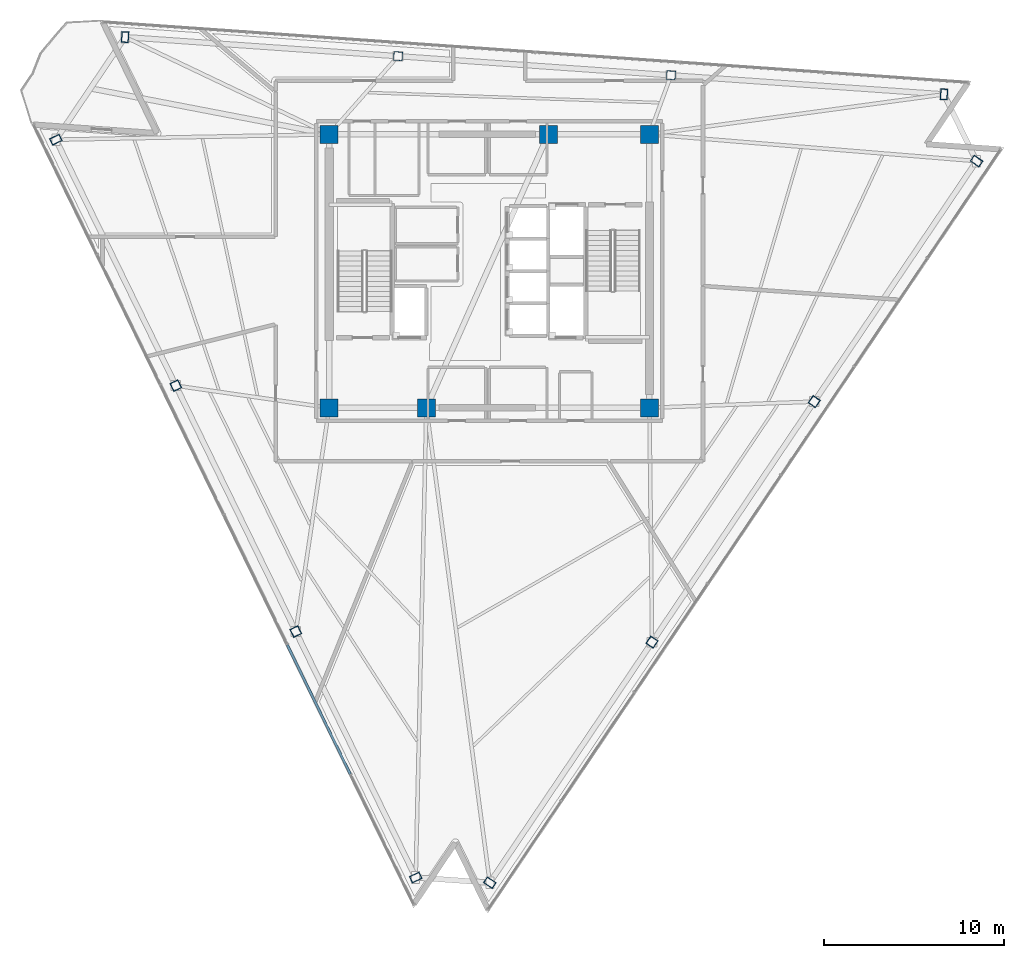
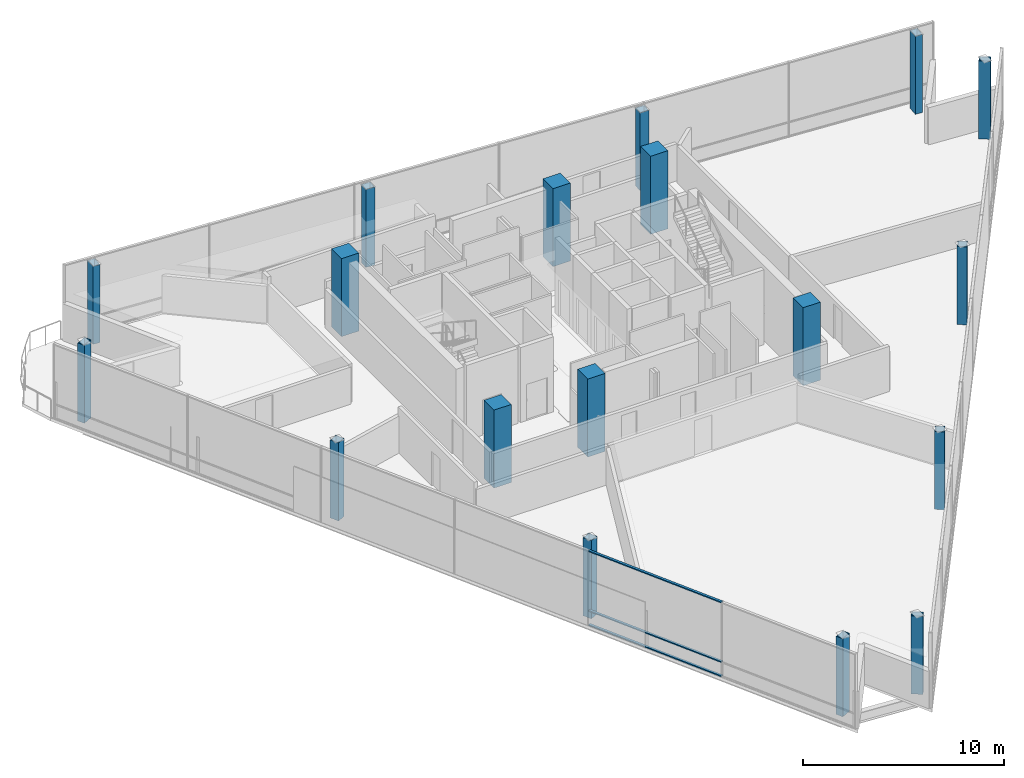
# One storey, part 1 of 13: 18 columns, 3 members, 1 element without a shape of its own.
"""IFC4 building model written with IfcOpenShell, lengths in metres."""

import ifcopenshell
import ifcopenshell.guid

model = None  # the IFC model being written
_history = None  # IfcOwnerHistory: only IFC2X3 demands one
_inside = {}  # id of a spatial element -> (the spatial element, [elements in it])
_under = {}  # id of a project, library or spatial element -> (it, [spatial elements below it])
_declared = {}  # id of a project -> (the project, [libraries it declares])
_typed = {}  # id of a type object -> (the type object, [elements of that type])
_made_of = {}  # id of a material, layer set ... -> (it, [elements and type objects made of it])


def new_model(schema):
    """Start an empty IFC model of exactly this schema.

    Asked for "IFC4X3", IfcOpenShell would pick the latest addendum, in which some entities
    have other attributes; the version numbers below select the first issue.
    IFC2X3 requires an IfcOwnerHistory on every rooted entity: one is made here for all.
    """
    global model, _history
    if schema == "IFC4X3":
        model = ifcopenshell.file(schema_version=(4, 3, 0, 0))
    else:
        model = ifcopenshell.file(schema=schema)
    _inside.clear()
    _under.clear()
    _declared.clear()
    _typed.clear()
    _made_of.clear()
    _history = None
    if model.schema == "IFC2X3":
        org = make("IfcOrganization", Name="unknown")
        user = make(
            "IfcPersonAndOrganization",
            ThePerson=make("IfcPerson", FamilyName="unknown"),
            TheOrganization=org,
        )
        app = make(
            "IfcApplication",
            ApplicationDeveloper=org,
            Version="unknown",
            ApplicationFullName="unknown",
            ApplicationIdentifier="unknown",
        )
        _history = make(
            "IfcOwnerHistory",
            OwningUser=user,
            OwningApplication=app,
            ChangeAction="ADDED",
            CreationDate=0,
        )
    return model


def make(cls, **values):
    """One entity of the class cls with the attributes given. An attribute that is None is left unset."""
    return model.create_entity(
        cls, **{name: value for name, value in values.items() if value is not None}
    )


def rooted(cls, **values):
    """An entity with a GlobalId (a new one), such as an element, a storey or a relation."""
    return make(cls, GlobalId=ifcopenshell.guid.new(), OwnerHistory=_history, **values)


def si_unit(unit_type, name, prefix=None):
    """IfcSIUnit, for example si_unit("LENGTHUNIT", "METRE", prefix="MILLI")."""
    return make("IfcSIUnit", UnitType=unit_type, Prefix=prefix, Name=name)


def assignment(units):
    """IfcUnitAssignment: the units of a project."""
    return None if units is None else make("IfcUnitAssignment", Units=units)


def point(xyz):
    """IfcCartesianPoint."""
    return None if xyz is None else make("IfcCartesianPoint", Coordinates=xyz)


def direction(xyz):
    """IfcDirection."""
    return None if xyz is None else make("IfcDirection", DirectionRatios=xyz)


def frame(location, z_axis=None, x_axis=None):
    """IfcAxis2Placement3D, a coordinate frame: its origin and axes. An axis left out is left unset."""
    return make(
        "IfcAxis2Placement3D",
        Location=point(location),
        Axis=direction(z_axis),
        RefDirection=direction(x_axis),
    )


def frame_2d(location, x_axis=None):
    """IfcAxis2Placement2D, a coordinate frame in the plane: its origin and x axis."""
    return make(
        "IfcAxis2Placement2D", Location=point(location), RefDirection=direction(x_axis)
    )


def origin():
    """The frame at (0, 0, 0) with its axes left unset."""
    return frame((0.0, 0.0, 0.0))


def origin_2d():
    """The frame at (0, 0) in the plane with its x axis left unset."""
    return frame_2d((0.0, 0.0))


def place(relative_to, where):
    """IfcLocalPlacement: puts the frame where relative to a parent placement (None: the world)."""
    return make(
        "IfcLocalPlacement", PlacementRelTo=relative_to, RelativePlacement=where
    )


def context(
    kind, dimensions, precision=None, world=None, true_north=None, identifier=None
):
    """IfcGeometricRepresentationContext, for example the 3D "Model" context."""
    return make(
        "IfcGeometricRepresentationContext",
        ContextIdentifier=identifier,
        ContextType=kind,
        CoordinateSpaceDimension=dimensions,
        Precision=precision,
        WorldCoordinateSystem=world,
        TrueNorth=true_north,
    )


def subcontext(parent, identifier, kind, view, scale=None):
    """IfcGeometricRepresentationSubContext, for example "Body" below "Model"."""
    return make(
        "IfcGeometricRepresentationSubContext",
        ContextIdentifier=identifier,
        ContextType=kind,
        ParentContext=parent,
        TargetScale=scale,
        TargetView=view,
    )


def project(units=None, contexts=None):
    """IfcProject with its units and contexts."""
    return rooted(
        "IfcProject",
        Name="project",
        RepresentationContexts=contexts,
        UnitsInContext=assignment(units),
    )


def spatial(cls, under=None, at=None, **own):
    """A site, building, storey or space (cls), placed at a placement, below another one or the project."""
    s = rooted(cls, ObjectPlacement=at, **own)
    if under is not None:
        _under.setdefault(under.id(), (under, []))[1].append(s)
    return s


def profile(cls, at=None, kind="AREA", **sizes):
    """A parametric profile (cls). Its sizes go by their IFC names, for example OverallWidth=200.0."""
    return make(cls, ProfileType=kind, Position=at, **sizes)


def rectangle(**sizes):
    """IfcRectangleProfileDef."""
    return profile("IfcRectangleProfileDef", **sizes)


def hollow_rectangle(**sizes):
    """IfcRectangleHollowProfileDef."""
    return profile("IfcRectangleHollowProfileDef", **sizes)


def extrude(swept, where, along, depth):
    """IfcExtrudedAreaSolid: the profile swept, set in the frame where, extruded along a direction by depth."""
    return make(
        "IfcExtrudedAreaSolid",
        SweptArea=swept,
        Position=where,
        ExtrudedDirection=direction(along),
        Depth=depth,
    )


def shape(context_of_items, identifier, shape_type, items):
    """IfcShapeRepresentation: the items that make up one representation, for example the "Body"."""
    return make(
        "IfcShapeRepresentation",
        ContextOfItems=context_of_items,
        RepresentationIdentifier=identifier,
        RepresentationType=shape_type,
        Items=items,
    )


def material(Name=None, Category=None):
    """IfcMaterial."""
    return make("IfcMaterial", Name=Name, Category=Category)


def layer(
    of_material, thickness, ventilated=None, Name=None, Category=None, Priority=None
):
    """IfcMaterialLayer: one layer of a wall or slab, of a material (None: an air gap)."""
    return make(
        "IfcMaterialLayer",
        Material=of_material,
        LayerThickness=thickness,
        IsVentilated=ventilated,
        Name=Name,
        Category=Category,
        Priority=Priority,
    )


def layer_set(layers, Name=None):
    """IfcMaterialLayerSet."""
    return make("IfcMaterialLayerSet", MaterialLayers=layers, LayerSetName=Name)


def material_profile(
    of_material, cross_section, Name=None, Category=None, Priority=None
):
    """IfcMaterialProfile: a cross section and its material."""
    return make(
        "IfcMaterialProfile",
        Name=Name,
        Material=of_material,
        Profile=cross_section,
        Priority=Priority,
        Category=Category,
    )


def profile_set(profiles, Name=None, composite=None):
    """IfcMaterialProfileSet."""
    return make(
        "IfcMaterialProfileSet",
        Name=Name,
        MaterialProfiles=profiles,
        CompositeProfile=composite,
    )


def made_of(thing, what):
    """Note that an element or type object is made of a material, layer set ...; save() writes the relation."""
    if what is not None:
        _made_of.setdefault(what.id(), (what, []))[1].append(thing)
    return thing


def type_object(cls, material=None, **own):
    """A type object (cls), such as IfcWallType, which elements share."""
    return made_of(rooted(cls, **own), material)


def element(
    cls,
    number,
    at=None,
    inside=None,
    cuts=None,
    type_object=None,
    material=None,
    context=None,
    identifier="Body",
    shape_type=None,
    held_by="IfcProductDefinitionShape",
    body=None,
    shapes=None,
    **own,
):
    """One element of the class cls, such as IfcWall. Its Tag is "e" and its number.

    at: its placement. inside: the storey or other place that contains it. cuts: it is an
    opening in that element (IfcRelVoidsElement). A single representation is given by context,
    identifier, shape_type and body (its items); several are given by shapes. held_by: the class
    of the entity that holds the representations. save() writes the other relations.
    """
    e = rooted(cls, Tag="e%d" % number, ObjectPlacement=at, **own)
    if body is not None:
        shapes = [shape(context, identifier, shape_type, body)]
    if shapes is not None:
        e.Representation = make(held_by, Representations=shapes)
    if inside is not None:
        _inside.setdefault(inside.id(), (inside, []))[1].append(e)
    if cuts is not None:
        rooted(
            "IfcRelVoidsElement", RelatingBuildingElement=cuts, RelatedOpeningElement=e
        )
    if type_object is not None:
        _typed.setdefault(type_object.id(), (type_object, []))[1].append(e)
    return made_of(e, material)


def aggregate(whole, parts):
    """IfcRelAggregates: a whole, such as a stair, and the parts it consists of."""
    return rooted("IfcRelAggregates", RelatingObject=whole, RelatedObjects=parts)


def save(model, path):
    """Write the relations noted so far, then the file.

    IfcRelAggregates (storeys below a building ...), IfcRelContainedInSpatialStructure (elements
    in a storey), IfcRelDefinesByType, IfcRelAssociatesMaterial and IfcRelDeclares: one each for
    every whole, place, type object, material and project.
    """
    for whole, parts in _under.values():
        aggregate(whole, parts)
    for where, things in _inside.values():
        rooted(
            "IfcRelContainedInSpatialStructure",
            RelatedElements=things,
            RelatingStructure=where,
        )
    for kind, things in _typed.values():
        rooted("IfcRelDefinesByType", RelatedObjects=things, RelatingType=kind)
    for what, things in _made_of.values():
        rooted("IfcRelAssociatesMaterial", RelatedObjects=things, RelatingMaterial=what)
    for by, libraries in _declared.values():
        rooted("IfcRelDeclares", RelatingContext=by, RelatedDefinitions=libraries)
    model.write(path)


model = new_model("IFC4")

# Units and contexts
model_context = context("Model", 3, precision=1e-05, world=origin(), true_north=direction((0.0, 1.0)))
body_context = subcontext(model_context, "Body", "Model", "MODEL_VIEW")
ifc_project = project(units=[si_unit("LENGTHUNIT", "METRE"), si_unit("AREAUNIT", "SQUARE_METRE"), si_unit("VOLUMEUNIT", "CUBIC_METRE"), si_unit("PLANEANGLEUNIT", "RADIAN"), si_unit("MASSUNIT", "GRAM", prefix="KILO")], contexts=[model_context])

# Site, building, storey
site_placement = place(None, origin())
site = spatial("IfcSite", under=ifc_project, at=site_placement, CompositionType="ELEMENT")
building_placement = place(site_placement, origin())
building = spatial("IfcBuilding", under=site, at=building_placement, Name="Tharavind Bronze Gate", CompositionType="ELEMENT")
storey_placement = place(building_placement, frame((0.0, 0.0, 248.64990234375)))
storey = spatial("IfcBuildingStorey", under=building, at=storey_placement, Name="L64", CompositionType="ELEMENT", Elevation=248.64990234375)

# Columns
ifc_material_1 = material(Name="Steel S460", Category="steel")
ifc_material_profile_1 = material_profile(ifc_material_1, hollow_rectangle(XDim=0.39990234375, YDim=0.60009765625, WallThickness=0.030029296875, at=origin_2d()), Name="RHS600X400X30")
ifc_profile_set_1 = profile_set([ifc_material_profile_1], Name="Steel S460")
column_type_1 = type_object("IfcColumnType", Name="CORNER NOTCH COLUMN RHS600X400", PredefinedType="COLUMN", material=ifc_profile_set_1)
for number, where, z_axis, x_axis, name in (
    (1, (-24.093505859375, 7.302001953125, 0.0), (0.0, 0.0, 1.0), (-0.438371146789, 0.898794046299, 0.0), "L64 perimeter column S1C1"),
    (2, (-4.090576171875, -33.710205078125, 0.0), (0.0, 0.0, 1.0), (-0.438371146789, 0.898794046299, 0.0), "L64 perimeter column S1C4"),
    (3, (0.02734375, -33.998046875, 0.0), (0.0, 0.0, 1.0), (0.559194350413, 0.829036596578, 0.0), "L64 perimeter column S2C1"),
    (4, (27.082275390625, 6.112548828125, 0.0), (0.0, 0.0, 1.0), (0.559194350413, 0.829036596578, 0.0), "L64 perimeter column S2C4"),
    (5, (25.272705078125, 9.82275390625, 0.0), (0.0, 0.0, 1.0), (-0.99756405026, 0.069756473744, 0.0), "L64 perimeter column S3C1"),
    (6, (-20.246337890625, 13.005615234375, 0.0), (0.0, 0.0, 1.0), (-0.99756405026, 0.069756473744, 0.0), "L64 perimeter column S3C4"),
):
    element("IfcColumn", number, at=place(storey_placement, frame(where, z_axis=z_axis, x_axis=x_axis)), inside=storey, type_object=column_type_1, Name=name, PredefinedType="COLUMN", context=body_context, shape_type="SweptSolid", body=[
        extrude(hollow_rectangle(XDim=0.39990234375, YDim=0.60009765625, WallThickness=0.030029296875, at=origin_2d()), origin(), (0.0, 0.0, 1.0), 4.75),
    ])
ifc_material_2 = material(Name="Concrete C50/60", Category="concrete")
ifc_material_profile_2 = material_profile(ifc_material_2, rectangle(XDim=1.0, YDim=1.0, at=origin_2d()), Name="RCCOL1000")
ifc_profile_set_2 = profile_set([ifc_material_profile_2], Name="Concrete C50/60")
column_type_2 = type_object("IfcColumnType", Name="MEGA CORE COLUMN 1000", PredefinedType="COLUMN", material=ifc_profile_set_2)
for number, where, z_axis, x_axis, name in (
    (7, (-8.89990234375, -7.60009765625, 0.0), (0.0, 0.0, 1.0), (1.0, 0.0, 0.0), "L64 core mega column MC1"),
    (8, (-3.5, -7.60009765625, 0.0), (0.0, 0.0, 1.0), (1.0, 0.0, 0.0), "L64 core mega column MC2"),
    (9, (8.89990234375, -7.60009765625, 0.0), (0.0, 0.0, 1.0), (1.0, 0.0, 0.0), "L64 core mega column MC3"),
    (10, (8.89990234375, 7.60009765625, 0.0), (0.0, 0.0, 1.0), (1.0, 0.0, 0.0), "L64 core mega column MC4"),
    (11, (3.280029296875, 7.60009765625, 0.0), (0.0, 0.0, 1.0), (1.0, 0.0, 0.0), "L64 core mega column MC5"),
    (12, (-8.89990234375, 7.60009765625, 0.0), (0.0, 0.0, 1.0), (1.0, 0.0, 0.0), "L64 core mega column MC6"),
):
    element("IfcColumn", number, at=place(storey_placement, frame(where, z_axis=z_axis, x_axis=x_axis)), inside=storey, type_object=column_type_2, Name=name, PredefinedType="COLUMN", context=body_context, shape_type="SweptSolid", body=[
        extrude(rectangle(XDim=1.0, YDim=1.0, at=origin_2d()), origin(), (0.0, 0.0, 1.0), 4.75),
    ])
ifc_material_profile_3 = material_profile(ifc_material_1, hollow_rectangle(XDim=0.5, YDim=0.5, WallThickness=0.031982421875, at=origin_2d()), Name="SHS500X32")
ifc_profile_set_3 = profile_set([ifc_material_profile_3], Name="Steel S460")
column_type_3 = type_object("IfcColumnType", Name="PERIMETER BOX COLUMN SHS500", PredefinedType="COLUMN", material=ifc_profile_set_3)
for number, where, z_axis, x_axis, name in (
    (13, (-17.42578125, -6.368896484375, 0.0), (0.0, 0.0, 1.0), (-0.438371146789, 0.898794046299, 0.0), "L64 perimeter column S1C2"),
    (14, (-10.75830078125, -20.039306640625, 0.0), (0.0, 0.0, 1.0), (-0.438371146789, 0.898794046299, 0.0), "L64 perimeter column S1C3"),
    (15, (9.045654296875, -20.627685546875, 0.0), (0.0, 0.0, 1.0), (0.559194350413, 0.829036596578, 0.0), "L64 perimeter column S2C2"),
    (16, (18.06396484375, -7.2578125, 0.0), (0.0, 0.0, 1.0), (0.559194350413, 0.829036596578, 0.0), "L64 perimeter column S2C3"),
    (17, (10.099609375, 10.8837890625, 0.0), (0.0, 0.0, 1.0), (-0.99756405026, 0.069756473744, 0.0), "L64 perimeter column S3C2"),
    (18, (-5.0732421875, 11.944580078125, 0.0), (0.0, 0.0, 1.0), (-0.99756405026, 0.069756473744, 0.0), "L64 perimeter column S3C3"),
):
    element("IfcColumn", number, at=place(storey_placement, frame(where, z_axis=z_axis, x_axis=x_axis)), inside=storey, type_object=column_type_3, Name=name, PredefinedType="COLUMN", context=body_context, shape_type="SweptSolid", body=[
        extrude(hollow_rectangle(XDim=0.5, YDim=0.5, WallThickness=0.031982421875, at=origin_2d()), origin(), (0.0, 0.0, 1.0), 4.75),
    ])

# Curtain wall, members
ifc_material_3 = material(Name="Anodised Bronze Aluminium", Category="aluminium")
ifc_layer = layer(ifc_material_3, 0.219970703125)
ifc_layer_set = layer_set([ifc_layer], Name="Anodised Bronze Aluminium")
curtain_wall_type = type_object("IfcCurtainWallType", Name="UNITISED CURTAIN WALL UPPER OFFICE", PredefinedType="USERDEFINED", material=ifc_layer_set)
curtain_wall_placement = place(storey_placement, origin())
curtain_wall = element("IfcCurtainWall", 19, at=curtain_wall_placement, inside=storey, type_object=curtain_wall_type, Name="L64 unitised curtain wall upper office CW-L64-S1", ObjectType="UNITISED CURTAIN WALL", PredefinedType="USERDEFINED")
member_type = type_object("IfcMemberType", Name="CURTAIN WALL BRONZE TRANSOM 65X140", PredefinedType="USERDEFINED", material=ifc_material_3)
member_1_placement = place(storey_placement, frame((-9.480712890625, -24.36962890625, 0.000244140625), z_axis=(0.0, 0.0, 1.0), x_axis=(0.438371146789, -0.898794046299, 0.0)))
member_1 = element("IfcMember", 20, at=member_1_placement, type_object=member_type, Name="CW-L64-S1 transom TB5", ObjectType="TRANSOM", PredefinedType="USERDEFINED", context=body_context, shape_type="SweptSolid", body=[
    extrude(rectangle(XDim=7.985107421875, YDim=0.139892578125, at=origin_2d()), origin(), (0.0, 0.0, 1.0), 0.06494140625),
])
member_2_placement = place(storey_placement, frame((-9.480712890625, -24.36962890625, 0.86767578125), z_axis=(0.0, 0.0, 1.0), x_axis=(0.438371146789, -0.898794046299, 0.0)))
member_2 = element("IfcMember", 21, at=member_2_placement, type_object=member_type, Name="CW-L64-S1 transom TS5", ObjectType="TRANSOM", PredefinedType="USERDEFINED", context=body_context, shape_type="SweptSolid", body=[
    extrude(rectangle(XDim=7.985107421875, YDim=0.139892578125, at=origin_2d()), origin(), (0.0, 0.0, 1.0), 0.06494140625),
])
member_3_placement = place(storey_placement, frame((-9.480712890625, -24.36962890625, 4.4951171875), z_axis=(0.0, 0.0, 1.0), x_axis=(0.438371146789, -0.898794046299, 0.0)))
member_3 = element("IfcMember", 22, at=member_3_placement, type_object=member_type, Name="CW-L64-S1 transom TT5", ObjectType="TRANSOM", PredefinedType="USERDEFINED", context=body_context, shape_type="SweptSolid", body=[
    extrude(rectangle(XDim=7.985107421875, YDim=0.139892578125, at=origin_2d()), origin(), (0.0, 0.0, 1.0), 0.06494140625),
])
aggregate(curtain_wall, [member_1, member_2, member_3])

save(model, "model.ifc")
